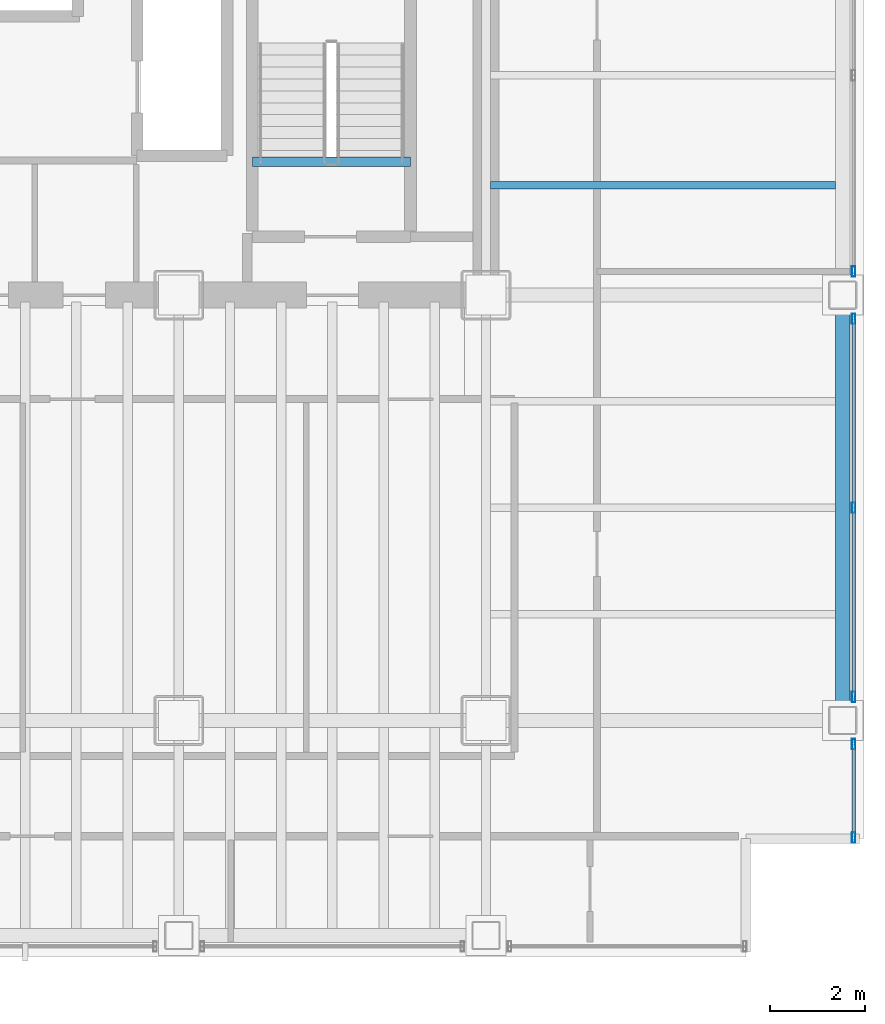
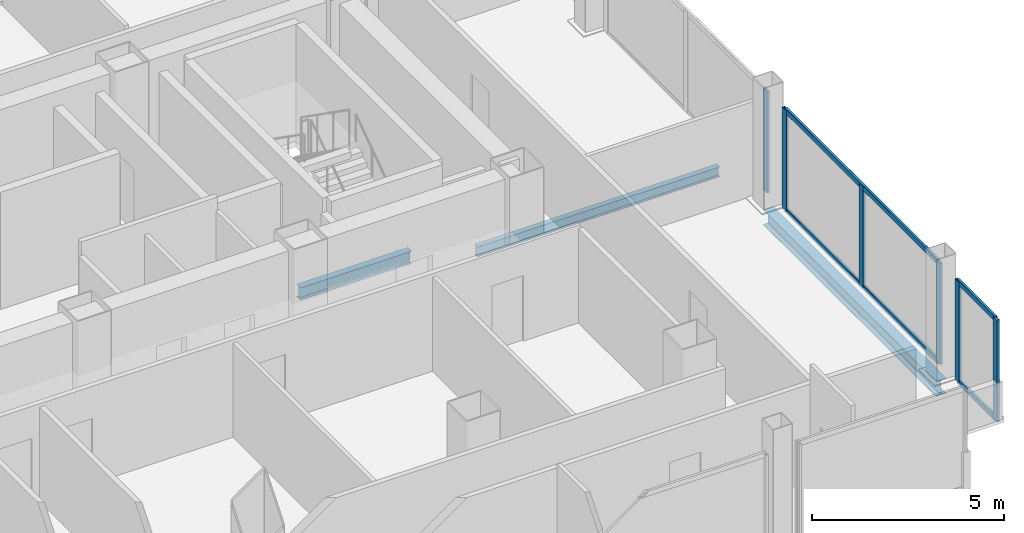
# One storey, part 11 of 21: 10 members, 3 beams, 3 elements without a shape of their own.
"""IFC4 building model written with IfcOpenShell, lengths in metres."""

from ifc_helpers import new_model, si_unit, direction, frame, origin, origin_2d, place, context, subcontext, project, spatial, hollow_rectangle, i_section, extrude, material, material_profile, profile_set, type_object, element, aggregate, save


model = new_model("IFC4")

# Units and contexts
model_context = context("Model", 3, precision=1e-05, world=origin(), true_north=direction((0.0, 1.0)))
body_context = subcontext(model_context, "Body", "Model", "MODEL_VIEW")
ifc_project = project(units=[si_unit("LENGTHUNIT", "METRE"), si_unit("AREAUNIT", "SQUARE_METRE"), si_unit("VOLUMEUNIT", "CUBIC_METRE"), si_unit("PLANEANGLEUNIT", "RADIAN"), si_unit("MASSUNIT", "GRAM", prefix="KILO")], contexts=[model_context])

# Site, building, storey
site_placement = place(None, origin())
site = spatial("IfcSite", under=ifc_project, at=site_placement, CompositionType="ELEMENT")
building_placement = place(site_placement, origin())
building = spatial("IfcBuilding", under=site, at=building_placement, Name="Noeulbin Bourse Tower", CompositionType="ELEMENT")
storey_placement = place(building_placement, frame((0.0, 0.0, 38.199951171875)))
storey = spatial("IfcBuildingStorey", under=building, at=storey_placement, Name="L09", CompositionType="ELEMENT", Elevation=38.199951171875)

# Beams
ifc_material_1 = material(Name="Steel S355", Category="steel")
ifc_material_profile_1 = material_profile(ifc_material_1, i_section(OverallWidth=0.159912109375, OverallDepth=0.320068359375, WebThickness=0.006591796875, FlangeThickness=0.010009765625, FilletRadius=0.012939453125, at=origin_2d()), Name="H-320x160x6.5x10", Category="LoadBearing")
ifc_profile_set_1 = profile_set([ifc_material_profile_1], Name="Steel S355")
beam_type_1 = type_object("IfcBeamType", Name="BM-JST-320", PredefinedType="JOIST", material=ifc_profile_set_1)
beam_1_placement = place(storey_placement, frame((44.10009765625, 31.324951171875, -0.33984375), z_axis=(1.0, 0.0, 0.0), x_axis=(0.0, 1.0, 0.0)))
element("IfcBeam", 1, at=beam_1_placement, inside=storey, type_object=beam_type_1, Name="Wing Composite Joist L09-E79", PredefinedType="JOIST", context=body_context, shape_type="SweptSolid", body=[
    extrude(i_section(OverallWidth=0.159912109375, OverallDepth=0.320068359375, WebThickness=0.006591796875, FlangeThickness=0.010009765625, FilletRadius=0.012939453125, at=origin_2d()), origin(), (0.0, 0.0, 1.0), 7.2998046875),
])
ifc_material_profile_2 = material_profile(ifc_material_1, i_section(OverallWidth=0.199951171875, OverallDepth=0.39990234375, WebThickness=0.008056640625, FlangeThickness=0.012939453125, FilletRadius=0.01611328125, at=origin_2d()), Name="H-400x200x8x13", Category="LoadBearing")
ifc_profile_set_2 = profile_set([ifc_material_profile_2], Name="Steel S355")
beam_type_2 = type_object("IfcBeamType", Name="BM-SEC-400", PredefinedType="BEAM", material=ifc_profile_set_2)
beam_2_placement = place(storey_placement, frame((39.06005859375, 31.820068359375, -0.199951171875), z_axis=(1.0, 0.0, 0.0), x_axis=(0.0, 1.0, 0.0)))
element("IfcBeam", 2, at=beam_2_placement, inside=storey, type_object=beam_type_2, Name="Stair Threshold Trimmer Beam ST2-L09", PredefinedType="BEAM", context=body_context, shape_type="SweptSolid", body=[
    extrude(i_section(OverallWidth=0.199951171875, OverallDepth=0.39990234375, WebThickness=0.008056640625, FlangeThickness=0.012939453125, FilletRadius=0.01611328125, at=origin_2d()), origin(), (0.0, 0.0, 1.0), 3.33984375),
])
ifc_material_profile_3 = material_profile(ifc_material_1, i_section(OverallWidth=0.300048828125, OverallDepth=0.488037109375, WebThickness=0.010986328125, FlangeThickness=0.01806640625, FilletRadius=0.02197265625, at=origin_2d()), Name="H-488x300x11x18", Category="LoadBearing")
ifc_profile_set_3 = profile_set([ifc_material_profile_3], Name="Steel S355")
beam_type_3 = type_object("IfcBeamType", Name="BM-SPN-488", PredefinedType="SPANDREL", material=ifc_profile_set_3)
beam_3_placement = place(storey_placement, frame((51.550048828125, 20.0, -0.424072265625), z_axis=(0.0, 1.0, 0.0), x_axis=(-1.0, 0.0, 0.0)))
element("IfcBeam", 3, at=beam_3_placement, inside=storey, type_object=beam_type_3, Name="East Spandrel L09-1", PredefinedType="SPANDREL", context=body_context, shape_type="SweptSolid", body=[
    extrude(i_section(OverallWidth=0.300048828125, OverallDepth=0.488037109375, WebThickness=0.010986328125, FlangeThickness=0.01806640625, FilletRadius=0.02197265625, at=origin_2d()), origin(), (0.0, 0.0, 1.0), 9.0),
])

# Curtain wall, members
ifc_material_2 = material(Name="Dark Solar-Control Double Glazing", Category="glass")
curtain_wall_type = type_object("IfcCurtainWallType", Name="CW-SYS-2", PredefinedType="NOTDEFINED", material=ifc_material_2)
curtain_wall_1_placement = place(storey_placement, origin())
curtain_wall_1 = element("IfcCurtainWall", 4, at=curtain_wall_1_placement, inside=storey, type_object=curtain_wall_type, Name="Unitised Curtain Wall CW-L09-E-S1", PredefinedType="NOTDEFINED")
ifc_material_3 = material(Name="Anodised Aluminium 6063-T6", Category="aluminium")
ifc_material_profile_4 = material_profile(ifc_material_3, hollow_rectangle(XDim=0.074951171875, YDim=0.219970703125, WallThickness=0.0048828125, InnerFilletRadius=0.00244140625, OuterFilletRadius=0.0048828125, at=origin_2d()), Name="ALU-MULL-75x220x5", Category="LoadBearing")
ifc_profile_set_4 = profile_set([ifc_material_profile_4], Name="Anodised Aluminium 6063-T6")
member_type_1 = type_object("IfcMemberType", Name="CW-SYS-2-MUL", PredefinedType="MULLION", material=ifc_profile_set_4)
member_1_placement = place(storey_placement, frame((51.780029296875, 17.52001953125, -0.02001953125), z_axis=(0.0, 0.0, 1.0), x_axis=(1.0, 0.0, 0.0)))
member_1 = element("IfcMember", 5, at=member_1_placement, type_object=member_type_1, Name="Curtain Wall Mullion CW-L09-E-S1-M00", PredefinedType="MULLION", context=body_context, shape_type="SweptSolid", body=[
    extrude(hollow_rectangle(XDim=0.074951171875, YDim=0.219970703125, WallThickness=0.0048828125, InnerFilletRadius=0.00244140625, OuterFilletRadius=0.0048828125, at=origin_2d()), origin(), (0.0, 0.0, 1.0), 3.219970703125),
])
member_2_placement = place(storey_placement, frame((51.780029296875, 19.5, -0.02001953125), z_axis=(0.0, 0.0, 1.0), x_axis=(1.0, 0.0, 0.0)))
member_2 = element("IfcMember", 6, at=member_2_placement, type_object=member_type_1, Name="Curtain Wall Mullion CW-L09-E-S1-M01", PredefinedType="MULLION", context=body_context, shape_type="SweptSolid", body=[
    extrude(hollow_rectangle(XDim=0.074951171875, YDim=0.219970703125, WallThickness=0.0048828125, InnerFilletRadius=0.00244140625, OuterFilletRadius=0.0048828125, at=origin_2d()), origin(), (0.0, 0.0, 1.0), 3.219970703125),
])

curtain_wall_2_placement = place(storey_placement, origin())
curtain_wall_2 = element("IfcCurtainWall", 7, at=curtain_wall_2_placement, inside=storey, type_object=curtain_wall_type, Name="Unitised Curtain Wall CW-L09-E-S2", PredefinedType="NOTDEFINED")
member_3_placement = place(storey_placement, frame((51.780029296875, 20.5, -0.02001953125), z_axis=(0.0, 0.0, 1.0), x_axis=(1.0, 0.0, 0.0)))
member_3 = element("IfcMember", 8, at=member_3_placement, type_object=member_type_1, Name="Curtain Wall Mullion CW-L09-E-S2-M00", PredefinedType="MULLION", context=body_context, shape_type="SweptSolid", body=[
    extrude(hollow_rectangle(XDim=0.074951171875, YDim=0.219970703125, WallThickness=0.0048828125, InnerFilletRadius=0.00244140625, OuterFilletRadius=0.0048828125, at=origin_2d()), origin(), (0.0, 0.0, 1.0), 3.219970703125),
])
member_4_placement = place(storey_placement, frame((51.780029296875, 24.5, -0.02001953125), z_axis=(0.0, 0.0, 1.0), x_axis=(1.0, 0.0, 0.0)))
member_4 = element("IfcMember", 9, at=member_4_placement, type_object=member_type_1, Name="Curtain Wall Mullion CW-L09-E-S2-M01", PredefinedType="MULLION", context=body_context, shape_type="SweptSolid", body=[
    extrude(hollow_rectangle(XDim=0.074951171875, YDim=0.219970703125, WallThickness=0.0048828125, InnerFilletRadius=0.00244140625, OuterFilletRadius=0.0048828125, at=origin_2d()), origin(), (0.0, 0.0, 1.0), 3.219970703125),
])
member_5_placement = place(storey_placement, frame((51.780029296875, 28.5, -0.02001953125), z_axis=(0.0, 0.0, 1.0), x_axis=(1.0, 0.0, 0.0)))
member_5 = element("IfcMember", 10, at=member_5_placement, type_object=member_type_1, Name="Curtain Wall Mullion CW-L09-E-S2-M02", PredefinedType="MULLION", context=body_context, shape_type="SweptSolid", body=[
    extrude(hollow_rectangle(XDim=0.074951171875, YDim=0.219970703125, WallThickness=0.0048828125, InnerFilletRadius=0.00244140625, OuterFilletRadius=0.0048828125, at=origin_2d()), origin(), (0.0, 0.0, 1.0), 3.219970703125),
])

# Curtain wall, member
curtain_wall_3_placement = place(storey_placement, origin())
curtain_wall_3 = element("IfcCurtainWall", 11, at=curtain_wall_3_placement, inside=storey, type_object=curtain_wall_type, Name="Unitised Curtain Wall CW-L09-E-S3", PredefinedType="NOTDEFINED")
member_6_placement = place(storey_placement, frame((51.780029296875, 29.5, -0.02001953125), z_axis=(0.0, 0.0, 1.0), x_axis=(1.0, 0.0, 0.0)))
member_6 = element("IfcMember", 12, at=member_6_placement, type_object=member_type_1, Name="Curtain Wall Mullion CW-L09-E-S3-M00", PredefinedType="MULLION", context=body_context, shape_type="SweptSolid", body=[
    extrude(hollow_rectangle(XDim=0.074951171875, YDim=0.219970703125, WallThickness=0.0048828125, InnerFilletRadius=0.00244140625, OuterFilletRadius=0.0048828125, at=origin_2d()), origin(), (0.0, 0.0, 1.0), 3.219970703125),
])
aggregate(curtain_wall_3, [member_6])

# Member
ifc_material_profile_5 = material_profile(ifc_material_3, hollow_rectangle(XDim=0.074951171875, YDim=0.159912109375, WallThickness=0.0048828125, InnerFilletRadius=0.00244140625, OuterFilletRadius=0.0048828125, at=origin_2d()), Name="ALU-TRAN-75x160x5", Category="LoadBearing")
ifc_profile_set_5 = profile_set([ifc_material_profile_5], Name="Anodised Aluminium 6063-T6")
member_type_2 = type_object("IfcMemberType", Name="CW-SYS-2-TRN", PredefinedType="USERDEFINED", material=ifc_profile_set_5)
member_7_placement = place(storey_placement, frame((51.780029296875, 17.530029296875, 0.010009765625), z_axis=(0.0, 1.0, 0.0), x_axis=(-1.0, 0.0, 0.0)))
member_7 = element("IfcMember", 13, at=member_7_placement, type_object=member_type_2, Name="Curtain Wall Transom CW-L09-E-S1-T00", ObjectType="TRANSOM", PredefinedType="USERDEFINED", context=body_context, shape_type="SweptSolid", body=[
    extrude(hollow_rectangle(XDim=0.074951171875, YDim=0.159912109375, WallThickness=0.0048828125, InnerFilletRadius=0.00244140625, OuterFilletRadius=0.0048828125, at=origin_2d()), origin(), (0.0, 0.0, 1.0), 1.9599609375),
])

member_8_placement = place(storey_placement, frame((51.780029296875, 17.530029296875, 3.170166015625), z_axis=(0.0, 1.0, 0.0), x_axis=(-1.0, 0.0, 0.0)))
member_8 = element("IfcMember", 14, at=member_8_placement, type_object=member_type_2, Name="Curtain Wall Transom CW-L09-E-S1-T01", ObjectType="TRANSOM", PredefinedType="USERDEFINED", context=body_context, shape_type="SweptSolid", body=[
    extrude(hollow_rectangle(XDim=0.074951171875, YDim=0.159912109375, WallThickness=0.0048828125, InnerFilletRadius=0.00244140625, OuterFilletRadius=0.0048828125, at=origin_2d()), origin(), (0.0, 0.0, 1.0), 1.9599609375),
])

aggregate(curtain_wall_1, [member_1, member_2, member_7, member_8])

member_9_placement = place(storey_placement, frame((51.780029296875, 20.510009765625, 0.010009765625), z_axis=(0.0, 1.0, 0.0), x_axis=(-1.0, 0.0, 0.0)))
member_9 = element("IfcMember", 15, at=member_9_placement, type_object=member_type_2, Name="Curtain Wall Transom CW-L09-E-S2-T00", ObjectType="TRANSOM", PredefinedType="USERDEFINED", context=body_context, shape_type="SweptSolid", body=[
    extrude(hollow_rectangle(XDim=0.074951171875, YDim=0.159912109375, WallThickness=0.0048828125, InnerFilletRadius=0.00244140625, OuterFilletRadius=0.0048828125, at=origin_2d()), origin(), (0.0, 0.0, 1.0), 7.97998046875),
])

member_10_placement = place(storey_placement, frame((51.780029296875, 20.510009765625, 3.170166015625), z_axis=(0.0, 1.0, 0.0), x_axis=(-1.0, 0.0, 0.0)))
member_10 = element("IfcMember", 16, at=member_10_placement, type_object=member_type_2, Name="Curtain Wall Transom CW-L09-E-S2-T01", ObjectType="TRANSOM", PredefinedType="USERDEFINED", context=body_context, shape_type="SweptSolid", body=[
    extrude(hollow_rectangle(XDim=0.074951171875, YDim=0.159912109375, WallThickness=0.0048828125, InnerFilletRadius=0.00244140625, OuterFilletRadius=0.0048828125, at=origin_2d()), origin(), (0.0, 0.0, 1.0), 7.97998046875),
])

aggregate(curtain_wall_2, [member_3, member_4, member_5, member_9, member_10])

save(model, "model.ifc")
